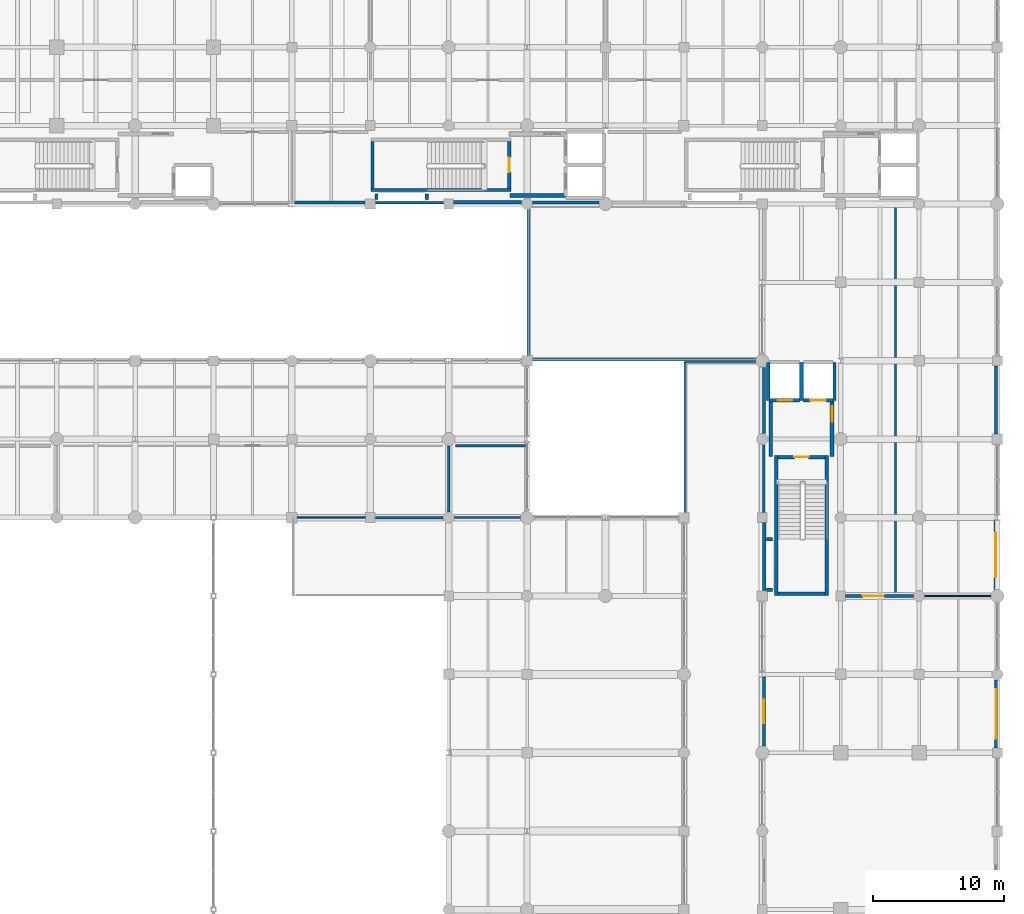
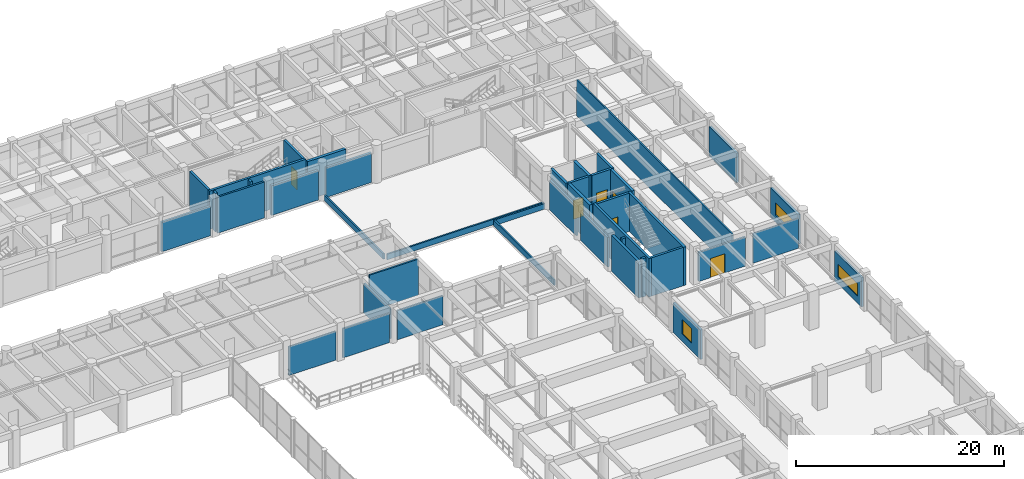
# One storey, part 106 of 133: 42 walls, 6 doors, 3 windows, 9 openings.
"""IFC4 building model written with IfcOpenShell, lengths in metres."""

from ifc_helpers import new_model, si_unit, direction, frame, frame_2d, origin, place, context, subcontext, project, spatial, rectangle, extrude, material, layer, layer_set, type_object, element, fill, save


model = new_model("IFC4")

# Units and contexts
model_context = context("Model", 3, precision=1e-05, world=origin(), true_north=direction((0.0, 1.0)))
body_context = subcontext(model_context, "Body", "Model", "MODEL_VIEW")
ifc_project = project(units=[si_unit("LENGTHUNIT", "METRE"), si_unit("AREAUNIT", "SQUARE_METRE"), si_unit("VOLUMEUNIT", "CUBIC_METRE"), si_unit("PLANEANGLEUNIT", "RADIAN"), si_unit("MASSUNIT", "GRAM", prefix="KILO"), si_unit("THERMODYNAMICTEMPERATUREUNIT", "KELVIN"), si_unit("POWERUNIT", "WATT")], contexts=[model_context])

# Site, building, storey
site_placement = place(None, origin())
site = spatial("IfcSite", under=ifc_project, at=site_placement, CompositionType="ELEMENT")
building_placement = place(site_placement, origin())
building = spatial("IfcBuilding", under=site, at=building_placement, Name="Phaisarnlok Congress Hotel", CompositionType="ELEMENT")
storey_placement = place(building_placement, frame((0.0, 0.0, 6.0)))
storey = spatial("IfcBuildingStorey", under=building, at=storey_placement, Name="L01", CompositionType="ELEMENT", Elevation=6.0)

# Walls
ifc_material_1 = material(Name="Concrete C40/50", Category="concrete")
ifc_layer_1 = layer(ifc_material_1, 0.2099609375, Name="Concrete C40/50")
ifc_layer_set_1 = layer_set([ifc_layer_1], Name="Concrete C40/50")
wall_type_1 = type_object("IfcWallType", Name="WL-EXT-210", PredefinedType="SOLIDWALL", material=ifc_layer_set_1)
wall_1_placement = place(storey_placement, frame((132.405029296875, 108.10498046875, 0.0), z_axis=(0.0, 0.0, 1.0), x_axis=(1.0, 0.0, 0.0)))
element("IfcWall", 1, at=wall_1_placement, inside=storey, type_object=wall_type_1, Name="Exterior wall EW-07 (L01)", PredefinedType="SOLIDWALL", context=body_context, shape_type="SweptSolid", body=[
    extrude(rectangle(XDim=5.215087890625, YDim=0.2099609375, at=frame_2d((2.607421875, 0.0))), origin(), (0.0, 0.0, 1.0), 4.219970703125),
])
wall_2_placement = place(storey_placement, frame((162.10498046875, 89.570068359375, 0.0), z_axis=(0.0, 0.0, 1.0), x_axis=(0.0, -1.0, 0.0)))
element("IfcWall", 2, at=wall_2_placement, inside=storey, type_object=wall_type_1, Name="Exterior wall EW-07 (L01)", PredefinedType="SOLIDWALL", context=body_context, shape_type="SweptSolid", body=[
    extrude(rectangle(XDim=5.190185546875, YDim=0.2099609375, at=frame_2d((2.59521484375, 0.0))), origin(), (0.0, 0.0, 1.0), 3.469970703125),
])
ifc_layer_2 = layer(ifc_material_1, 0.22998046875, Name="Concrete C40/50")
ifc_layer_set_2 = layer_set([ifc_layer_2], Name="Concrete C40/50")
wall_type_2 = type_object("IfcWallType", Name="WL-EXT-230", PredefinedType="SOLIDWALL", material=ifc_layer_set_2)
wall_3_placement = place(storey_placement, frame((126.20556640625, 108.114990234375, 0.0), z_axis=(0.0, 0.0, 1.0), x_axis=(1.0, 0.0, 0.0)))
element("IfcWall", 3, at=wall_3_placement, inside=storey, type_object=wall_type_2, Name="Exterior wall EW-06 (L01)", PredefinedType="SOLIDWALL", context=body_context, shape_type="SweptSolid", body=[
    extrude(rectangle(XDim=5.389404296875, YDim=0.22998046875, at=frame_2d((2.69482421875, 0.0))), origin(), (0.0, 0.0, 1.0), 3.469970703125),
])
wall_4_placement = place(storey_placement, frame((162.114990234375, 95.4951171875, 0.0), z_axis=(0.0, 0.0, 1.0), x_axis=(0.0, -1.0, 0.0)))
element("IfcWall", 4, at=wall_4_placement, inside=storey, type_object=wall_type_2, Name="Exterior wall EW-06 (L01)", PredefinedType="SOLIDWALL", context=body_context, shape_type="SweptSolid", body=[
    extrude(rectangle(XDim=5.065185546875, YDim=0.22998046875, at=frame_2d((2.53271484375, 0.0))), origin(), (0.0, 0.0, 1.0), 3.469970703125),
])

# Wall, opening, window
wall_5_placement = place(storey_placement, frame((162.114990234375, 71.79541015625, 0.0), z_axis=(0.0, 0.0, 1.0), x_axis=(0.0, -1.0, 0.0)))
wall_5 = element("IfcWall", 5, at=wall_5_placement, inside=storey, type_object=wall_type_2, Name="Exterior wall EW-06 (L01)", PredefinedType="SOLIDWALL", context=body_context, shape_type="SweptSolid", body=[
    extrude(rectangle(XDim=5.29052734375, YDim=0.22998046875, at=frame_2d((2.645263671875, 0.0))), origin(), (0.0, 0.0, 1.0), 3.469970703125),
])
opening_1_placement = place(wall_5_placement, frame((1.7451171875, 0.0, 0.85009765625)))
opening_1 = element("IfcOpeningElement", 6, at=opening_1_placement, cuts=wall_5, Name="Opening W-10", PredefinedType="OPENING", context=body_context, shape_type="SweptSolid", body=[
    extrude(rectangle(XDim=1.800048828125, YDim=1.699951171875, at=frame_2d((0.89990234375, 0.85009765625))), frame((0.0, 0.125, 0.0), z_axis=(0.0, -1.0, 0.0), x_axis=(1.0, 0.0, 0.0)), (0.0, 0.0, 1.0), 0.25),
])
ifc_material_2 = material(Name="Thermally Broken Aluminium & Low-E Double Glazing", Category="aluminium")
window_type_1 = type_object("IfcWindowType", Name="WIN-POD-1800", PartitioningType="SINGLE_PANEL", PredefinedType="WINDOW", material=ifc_material_2)
window_1_placement = place(opening_1_placement, origin())
window_1 = element("IfcWindow", 7, at=window_1_placement, inside=storey, type_object=window_type_1, Name="Podium window W-10 (L01)", OverallHeight=1.699951171875, OverallWidth=1.800048828125, PartitioningType="SINGLE_PANEL", PredefinedType="WINDOW", context=body_context, shape_type="SweptSolid", body=[
    extrude(rectangle(XDim=1.800048828125, YDim=1.699951171875, at=frame_2d((0.89990234375, 0.85009765625))), frame((0.0, 0.030029296875, 0.0), z_axis=(0.0, -1.0, 0.0), x_axis=(1.0, 0.0, 0.0)), (0.0, 0.0, 1.0), 0.06005859375),
])
fill(opening_1, window_1)

wall_6_placement = place(storey_placement, frame((179.885009765625, 66.3798828125, 0.0), z_axis=(0.0, 0.0, 1.0), x_axis=(0.0, 1.0, 0.0)))
wall_6 = element("IfcWall", 8, at=wall_6_placement, inside=storey, type_object=wall_type_2, Name="Exterior wall EW-06 (L01)", PredefinedType="SOLIDWALL", context=body_context, shape_type="SweptSolid", body=[
    extrude(rectangle(XDim=5.190185546875, YDim=0.22998046875, at=frame_2d((2.59521484375, 0.0))), origin(), (0.0, 0.0, 1.0), 3.469970703125),
])
opening_2_placement = place(wall_6_placement, frame((0.695068359375, 0.0, 0.85009765625)))
opening_2 = element("IfcOpeningElement", 9, at=opening_2_placement, cuts=wall_6, Name="Opening W-17", PredefinedType="OPENING", context=body_context, shape_type="SweptSolid", body=[
    extrude(rectangle(XDim=3.800048828125, YDim=1.449951171875, at=frame_2d((1.89990234375, 0.72509765625))), frame((0.0, 0.125, 0.0), z_axis=(0.0, -1.0, 0.0), x_axis=(1.0, 0.0, 0.0)), (0.0, 0.0, 1.0), 0.25),
])
window_type_2 = type_object("IfcWindowType", Name="WIN-RIB-3800", PartitioningType="SINGLE_PANEL", PredefinedType="WINDOW", material=ifc_material_2)
window_2_placement = place(opening_2_placement, origin())
window_2 = element("IfcWindow", 10, at=window_2_placement, inside=storey, type_object=window_type_2, Name="Podium window W-17 (L01)", OverallHeight=1.449951171875, OverallWidth=3.800048828125, PartitioningType="SINGLE_PANEL", PredefinedType="WINDOW", context=body_context, shape_type="SweptSolid", body=[
    extrude(rectangle(XDim=3.800048828125, YDim=1.449951171875, at=frame_2d((1.89990234375, 0.72509765625))), frame((0.0, 0.030029296875, 0.0), z_axis=(0.0, -1.0, 0.0), x_axis=(1.0, 0.0, 0.0)), (0.0, 0.0, 1.0), 0.06005859375),
])
fill(opening_2, window_2)

# Walls
wall_7_placement = place(storey_placement, frame((179.885009765625, 90.405029296875, 0.0), z_axis=(0.0, 0.0, 1.0), x_axis=(0.0, 1.0, 0.0)))
element("IfcWall", 11, at=wall_7_placement, inside=storey, type_object=wall_type_2, Name="Exterior wall EW-06 (L01)", PredefinedType="SOLIDWALL", context=body_context, shape_type="SweptSolid", body=[
    extrude(rectangle(XDim=5.215087890625, YDim=0.22998046875, at=frame_2d((2.607421875, 0.0))), origin(), (0.0, 0.0, 1.0), 3.469970703125),
])
ifc_layer_3 = layer(ifc_material_1, 0.25, Name="Concrete C40/50")
ifc_layer_set_3 = layer_set([ifc_layer_3], Name="Concrete C40/50")
wall_type_3 = type_object("IfcWallType", Name="WL-EXT-250", PredefinedType="SOLIDWALL", material=ifc_layer_set_3)
wall_8_placement = place(storey_placement, frame((144.429931640625, 108.125, 0.0), z_axis=(0.0, 0.0, 1.0), x_axis=(1.0, 0.0, 0.0)))
element("IfcWall", 12, at=wall_8_placement, inside=storey, type_object=wall_type_3, Name="Exterior wall EW-05 (L01)", PredefinedType="SOLIDWALL", context=body_context, shape_type="SweptSolid", body=[
    extrude(rectangle(XDim=5.065185546875, YDim=0.25, at=frame_2d((2.53271484375, 0.0))), origin(), (0.0, 0.0, 1.0), 3.469970703125),
])
ifc_layer_4 = layer(ifc_material_1, 0.27001953125, Name="Concrete C40/50")
ifc_layer_set_4 = layer_set([ifc_layer_4], Name="Concrete C40/50")
wall_type_4 = type_object("IfcWallType", Name="WL-EXT-270", PredefinedType="SOLIDWALL", material=ifc_layer_set_4)
wall_9_placement = place(storey_placement, frame((138.3798828125, 108.135009765625, 0.0), z_axis=(0.0, 0.0, 1.0), x_axis=(1.0, 0.0, 0.0)))
element("IfcWall", 13, at=wall_9_placement, inside=storey, type_object=wall_type_4, Name="Exterior wall EW-04 (L01)", PredefinedType="SOLIDWALL", context=body_context, shape_type="SweptSolid", body=[
    extrude(rectangle(XDim=5.190185546875, YDim=0.27001953125, at=frame_2d((2.59521484375, 0.0))), origin(), (0.0, 0.0, 1.0), 3.469970703125),
])
wall_10_placement = place(storey_placement, frame((162.135009765625, 83.6201171875, 0.0), z_axis=(0.0, 0.0, 1.0), x_axis=(0.0, -1.0, 0.0)))
element("IfcWall", 14, at=wall_10_placement, inside=storey, type_object=wall_type_4, Name="Exterior wall EW-04 (L01)", PredefinedType="SOLIDWALL", context=body_context, shape_type="SweptSolid", body=[
    extrude(rectangle(XDim=5.215087890625, YDim=0.27001953125, at=frame_2d((2.607421875, 0.0))), origin(), (0.0, 0.0, 1.0), 4.219970703125),
])

# Wall, opening, window
wall_11_placement = place(storey_placement, frame((179.864990234375, 78.5048828125, 0.0), z_axis=(0.0, 0.0, 1.0), x_axis=(0.0, 1.0, 0.0)))
wall_11 = element("IfcWall", 15, at=wall_11_placement, inside=storey, type_object=wall_type_4, Name="Exterior wall EW-04 (L01)", PredefinedType="SOLIDWALL", context=body_context, shape_type="SweptSolid", body=[
    extrude(rectangle(XDim=5.29052734375, YDim=0.27001953125, at=frame_2d((2.645263671875, 0.0))), origin(), (0.0, 0.0, 1.0), 3.469970703125),
])
opening_3_placement = place(wall_11_placement, frame((0.945068359375, 0.0, 0.85009765625)))
opening_3 = element("IfcOpeningElement", 16, at=opening_3_placement, cuts=wall_11, Name="Opening W-18", PredefinedType="OPENING", context=body_context, shape_type="SweptSolid", body=[
    extrude(rectangle(XDim=3.39990234375, YDim=1.449951171875, at=frame_2d((1.699951171875, 0.72509765625))), frame((0.0, 0.14501953125, 0.0), z_axis=(0.0, -1.0, 0.0), x_axis=(1.0, 0.0, 0.0)), (0.0, 0.0, 1.0), 0.2900390625),
])
window_type_3 = type_object("IfcWindowType", Name="WIN-RIB-3400", PartitioningType="SINGLE_PANEL", PredefinedType="WINDOW", material=ifc_material_2)
window_3_placement = place(opening_3_placement, origin())
window_3 = element("IfcWindow", 17, at=window_3_placement, inside=storey, type_object=window_type_3, Name="Podium window W-18 (L01)", OverallHeight=1.449951171875, OverallWidth=3.39990234375, PartitioningType="SINGLE_PANEL", PredefinedType="WINDOW", context=body_context, shape_type="SweptSolid", body=[
    extrude(rectangle(XDim=3.39990234375, YDim=1.449951171875, at=frame_2d((1.699951171875, 0.72509765625))), frame((0.0, 0.030029296875, 0.0), z_axis=(0.0, -1.0, 0.0), x_axis=(1.0, 0.0, 0.0)), (0.0, 0.0, 1.0), 0.06005859375),
])
fill(opening_3, window_3)

# Walls
ifc_material_3 = material(Name="Service Riser Shaftwall Partition", Category="gypsum")
ifc_layer_5 = layer(ifc_material_3, 0.10498046875, Name="Service Riser Shaftwall Partition")
ifc_layer_set_5 = layer_set([ifc_layer_5], Name="Service Riser Shaftwall Partition")
wall_type_5 = type_object("IfcWallType", Name="WL-INT-105", PredefinedType="PARTITIONING", material=ifc_layer_set_5)
wall_12_placement = place(storey_placement, frame((174.429931640625, 78.0, 0.0), z_axis=(0.0, 0.0, 1.0), x_axis=(1.0, 0.0, 0.0)))
element("IfcWall", 18, at=wall_12_placement, inside=storey, type_object=wall_type_5, Name="Interior partition wall IW-08 (L01)", PredefinedType="PARTITIONING", context=body_context, shape_type="SweptSolid", body=[
    extrude(rectangle(XDim=5.065185546875, YDim=0.10498046875, at=frame_2d((2.53271484375, 0.0))), origin(), (0.0, 0.0, 1.0), 3.52001953125),
])
wall_13_placement = place(storey_placement, frame((126.405029296875, 84.0, 0.0), z_axis=(0.0, 0.0, 1.0), x_axis=(1.0, 0.0, 0.0)))
element("IfcWall", 19, at=wall_13_placement, inside=storey, type_object=wall_type_5, Name="Interior partition wall IW-08 (L01)", PredefinedType="PARTITIONING", context=body_context, shape_type="SweptSolid", body=[
    extrude(rectangle(XDim=5.215087890625, YDim=0.10498046875, at=frame_2d((2.607421875, 0.0))), origin(), (0.0, 0.0, 1.0), 3.419921875),
])
ifc_material_4 = material(Name="Double-Stud Acoustic Gypsum Partition", Category="gypsum")
ifc_layer_6 = layer(ifc_material_4, 0.159912109375, Name="Double-Stud Acoustic Gypsum Partition")
ifc_layer_set_6 = layer_set([ifc_layer_6], Name="Double-Stud Acoustic Gypsum Partition")
wall_type_6 = type_object("IfcWallType", Name="WL-INT-160", PredefinedType="PARTITIONING", material=ifc_layer_set_6)
wall_14_placement = place(storey_placement, frame((172.199951171875, 78.0, 0.0), z_axis=(0.0, 0.0, 1.0), x_axis=(0.0, 1.0, 0.0)))
element("IfcWall", 20, at=wall_14_placement, inside=storey, type_object=wall_type_6, Name="Interior partition wall IW-04 (L01)", PredefinedType="PARTITIONING", context=body_context, shape_type="SweptSolid", body=[
    extrude(rectangle(XDim=29.820068359375, YDim=0.159912109375, at=frame_2d((14.91015625, 0.0))), origin(), (0.0, 0.0, 1.0), 4.219970703125),
])
wall_15_placement = place(storey_placement, frame((138.429931640625, 84.0, 0.0), z_axis=(0.0, 0.0, 1.0), x_axis=(1.0, 0.0, 0.0)))
element("IfcWall", 21, at=wall_15_placement, inside=storey, type_object=wall_type_6, Name="Interior partition wall IW-04 (L01)", PredefinedType="PARTITIONING", context=body_context, shape_type="SweptSolid", body=[
    extrude(rectangle(XDim=5.065185546875, YDim=0.159912109375, at=frame_2d((2.53271484375, 0.0))), origin(), (0.0, 0.0, 1.0), 3.419921875),
])
ifc_material_5 = material(Name="Autoclaved Aerated Concrete Block", Category="concrete")
ifc_layer_7 = layer(ifc_material_5, 0.179931640625, Name="Autoclaved Aerated Concrete Block")
ifc_layer_set_7 = layer_set([ifc_layer_7], Name="Autoclaved Aerated Concrete Block")
wall_type_7 = type_object("IfcWallType", Name="WL-INT-180", PredefinedType="PARTITIONING", material=ifc_layer_set_7)
wall_16_placement = place(storey_placement, frame((132.3798828125, 84.0, 0.0), z_axis=(0.0, 0.0, 1.0), x_axis=(1.0, 0.0, 0.0)))
element("IfcWall", 22, at=wall_16_placement, inside=storey, type_object=wall_type_7, Name="Interior partition wall IW-03 (L01)", PredefinedType="PARTITIONING", context=body_context, shape_type="SweptSolid", body=[
    extrude(rectangle(XDim=5.190185546875, YDim=0.179931640625, at=frame_2d((2.59521484375, 0.0))), origin(), (0.0, 0.0, 1.0), 3.419921875),
])
wall_17_placement = place(storey_placement, frame((138.5048828125, 89.5, 0.0), z_axis=(0.0, 0.0, 1.0), x_axis=(1.0, 0.0, 0.0)))
element("IfcWall", 23, at=wall_17_placement, inside=storey, type_object=wall_type_7, Name="Interior partition wall IW-03 (L01)", PredefinedType="PARTITIONING", context=body_context, shape_type="SweptSolid", body=[
    extrude(rectangle(XDim=5.4501953125, YDim=0.179931640625, at=frame_2d((2.72509765625, 0.0))), origin(), (0.0, 0.0, 1.0), 4.219970703125),
])
ifc_layer_8 = layer(ifc_material_5, 0.199951171875, Name="Autoclaved Aerated Concrete Block")
ifc_layer_set_8 = layer_set([ifc_layer_8], Name="Autoclaved Aerated Concrete Block")
wall_type_8 = type_object("IfcWallType", Name="WL-INT-200", PredefinedType="PARTITIONING", material=ifc_layer_set_8)
wall_18_placement = place(storey_placement, frame((138.0, 84.429931640625, 0.0), z_axis=(0.0, 0.0, 1.0), x_axis=(0.0, 1.0, 0.0)))
element("IfcWall", 24, at=wall_18_placement, inside=storey, type_object=wall_type_8, Name="Interior partition wall IW-02 (L01)", PredefinedType="PARTITIONING", context=body_context, shape_type="SweptSolid", body=[
    extrude(rectangle(XDim=5.065185546875, YDim=0.199951171875, at=frame_2d((2.53271484375, 0.0))), origin(), (0.0, 0.0, 1.0), 3.4599609375),
])

# Wall, opening, door
wall_19_placement = place(storey_placement, frame((168.3798828125, 78.0, 0.0), z_axis=(0.0, 0.0, 1.0), x_axis=(1.0, 0.0, 0.0)))
wall_19 = element("IfcWall", 25, at=wall_19_placement, inside=storey, type_object=wall_type_8, Name="Interior partition wall IW-02 (L01)", PredefinedType="PARTITIONING", context=body_context, shape_type="SweptSolid", body=[
    extrude(rectangle(XDim=5.190185546875, YDim=0.199951171875, at=frame_2d((2.59521484375, 0.0))), origin(), (0.0, 0.0, 1.0), 3.419921875),
])
opening_4_placement = place(wall_19_placement, frame((1.320068359375, 0.0, 0.0)))
opening_4 = element("IfcOpeningElement", 26, at=opening_4_placement, cuts=wall_19, Name="Opening D-0072", PredefinedType="OPENING", context=body_context, shape_type="SweptSolid", body=[
    extrude(rectangle(XDim=1.60009765625, YDim=2.25, at=frame_2d((0.800048828125, 1.125))), frame((0.0, 0.10986328125, 0.0), z_axis=(0.0, -1.0, 0.0), x_axis=(1.0, 0.0, 0.0)), (0.0, 0.0, 1.0), 0.219970703125),
])
ifc_material_6 = material(Name="Frameless Tempered Acoustic Glass", Category="glass")
door_type_1 = type_object("IfcDoorType", Name="DR-GLZ-1600", OperationType="DOUBLE_DOOR_SINGLE_SWING", PredefinedType="DOOR", material=ifc_material_6)
door_1_placement = place(opening_4_placement, origin())
door_1 = element("IfcDoor", 27, at=door_1_placement, inside=storey, type_object=door_type_1, Name="Interior door D-0072 (L01)", OperationType="DOUBLE_DOOR_SINGLE_SWING", OverallHeight=2.25, OverallWidth=1.60009765625, PredefinedType="DOOR", context=body_context, shape_type="SweptSolid", body=[
    extrude(rectangle(XDim=1.60009765625, YDim=2.25, at=frame_2d((0.800048828125, 1.125))), frame((0.0, 0.02490234375, 0.0), z_axis=(0.0, -1.0, 0.0), x_axis=(1.0, 0.0, 0.0)), (0.0, 0.0, 1.0), 0.050048828125),
])
fill(opening_4, door_1)

# Walls
ifc_layer_9 = layer(ifc_material_1, 0.169921875, Name="Concrete C40/50")
ifc_layer_set_9 = layer_set([ifc_layer_9], Name="Concrete C40/50")
wall_type_9 = type_object("IfcWallType", Name="WL-PAR-170", PredefinedType="PARAPET", material=ifc_layer_set_9)
wall_20_placement = place(storey_placement, frame((144.090087890625, 107.699951171875, 0.0), z_axis=(0.0, 0.0, 1.0), x_axis=(0.0, -1.0, 0.0)))
element("IfcWall", 28, at=wall_20_placement, inside=storey, type_object=wall_type_9, Name="Podium roof parapet WP-02 (L01)", PredefinedType="PARAPET", context=body_context, shape_type="SweptSolid", body=[
    extrude(rectangle(XDim=11.4140625, YDim=0.169921875, at=frame_2d((5.70703125, 0.0))), origin(), (0.0, 0.0, 1.0), 0.64990234375),
])
wall_21_placement = place(storey_placement, frame((144.285888671875, 96.090087890625, 0.0), z_axis=(0.0, 0.0, 1.0), x_axis=(1.0, 0.0, 0.0)))
element("IfcWall", 29, at=wall_21_placement, inside=storey, type_object=wall_type_9, Name="Podium roof parapet WP-02 (L01)", PredefinedType="PARAPET", context=body_context, shape_type="SweptSolid", body=[
    extrude(rectangle(XDim=17.4140625, YDim=0.169921875, at=frame_2d((8.70703125, 0.0))), origin(), (0.0, 0.0, 1.0), 0.64990234375),
])
wall_22_placement = place(storey_placement, frame((161.699951171875, 95.909912109375, 0.0), z_axis=(0.0, 0.0, 1.0), x_axis=(-1.0, 0.0, 0.0)))
element("IfcWall", 30, at=wall_22_placement, inside=storey, type_object=wall_type_9, Name="Podium roof parapet WP-02 (L01)", PredefinedType="PARAPET", context=body_context, shape_type="SweptSolid", body=[
    extrude(rectangle(XDim=5.60986328125, YDim=0.169921875, at=frame_2d((2.804931640625, 0.0))), origin(), (0.0, 0.0, 1.0), 0.64990234375),
])
wall_23_placement = place(storey_placement, frame((156.090087890625, 95.909912109375, 0.0), z_axis=(0.0, 0.0, 1.0), x_axis=(0.0, -1.0, 0.0)))
element("IfcWall", 31, at=wall_23_placement, inside=storey, type_object=wall_type_9, Name="Podium roof parapet WP-02 (L01)", PredefinedType="PARAPET", context=body_context, shape_type="SweptSolid", body=[
    extrude(rectangle(XDim=11.6240234375, YDim=0.169921875, at=frame_2d((5.81201171875, 0.0))), origin(), (0.0, 0.0, 1.0), 0.64990234375),
])
ifc_material_7 = material(Name="Concrete C50/60", Category="concrete")
ifc_layer_10 = layer(ifc_material_7, 0.260009765625, Name="Concrete C50/60")
ifc_layer_set_10 = layer_set([ifc_layer_10], Name="Concrete C50/60")
wall_type_10 = type_object("IfcWallType", Name="WL-SHR-260", PredefinedType="SHEAR", material=ifc_layer_set_10)
wall_24_placement = place(storey_placement, frame((132.0400390625, 109.070068359375, 0.0), z_axis=(0.0, 0.0, 1.0), x_axis=(1.0, 0.0, 0.0)))
element("IfcWall", 32, at=wall_24_placement, inside=storey, type_object=wall_type_10, Name="Stair shaft shear wall SW-04 (CORE-2 L01)", PredefinedType="SHEAR", context=body_context, shape_type="SweptSolid", body=[
    extrude(rectangle(XDim=10.719970703125, YDim=0.260009765625, at=frame_2d((5.35986328125, 0.0))), origin(), (0.0, 0.0, 1.0), 4.5),
])
wall_25_placement = place(storey_placement, frame((132.169921875, 109.199951171875, 0.0), z_axis=(0.0, 0.0, 1.0), x_axis=(0.0, 1.0, 0.0)))
element("IfcWall", 33, at=wall_25_placement, inside=storey, type_object=wall_type_10, Name="Stair shaft shear wall SW-04 (CORE-2 L01)", PredefinedType="SHEAR", context=body_context, shape_type="SweptSolid", body=[
    extrude(rectangle(XDim=3.60009765625, YDim=0.260009765625, at=frame_2d((1.800048828125, 0.0))), origin(), (0.0, 0.0, 1.0), 4.5),
])

# Wall, opening, door
wall_26_placement = place(storey_placement, frame((142.6298828125, 109.199951171875, 0.0), z_axis=(0.0, 0.0, 1.0), x_axis=(0.0, 1.0, 0.0)))
wall_26 = element("IfcWall", 34, at=wall_26_placement, inside=storey, type_object=wall_type_10, Name="Stair shaft shear wall SW-04 (CORE-2 L01)", PredefinedType="SHEAR", context=body_context, shape_type="SweptSolid", body=[
    extrude(rectangle(XDim=3.60009765625, YDim=0.260009765625, at=frame_2d((1.800048828125, 0.0))), origin(), (0.0, 0.0, 1.0), 4.5),
])
opening_5_placement = place(wall_26_placement, frame((1.25, 0.0, 0.0)))
opening_5 = element("IfcOpeningElement", 35, at=opening_5_placement, cuts=wall_26, Name="Opening FD-033", PredefinedType="OPENING", context=body_context, shape_type="SweptSolid", body=[
    extrude(rectangle(XDim=1.10009765625, YDim=2.14990234375, at=frame_2d((0.550048828125, 1.074951171875))), frame((0.0, 0.14013671875, 0.0), z_axis=(0.0, -1.0, 0.0), x_axis=(1.0, 0.0, 0.0)), (0.0, 0.0, 1.0), 0.280029296875),
])
ifc_material_8 = material(Name="Fire-Rated Steel Frame & Timber Leaf", Category="steel")
door_type_2 = type_object("IfcDoorType", Name="DR-FD60-1100", OperationType="NOTDEFINED", PredefinedType="DOOR", material=ifc_material_8)
door_2_placement = place(opening_5_placement, origin())
door_2 = element("IfcDoor", 36, at=door_2_placement, inside=storey, type_object=door_type_2, Name="Stair enclosure fire door FD-033 (L01)", OperationType="SINGLE_SWING_RIGHT", OverallHeight=2.14990234375, OverallWidth=1.10009765625, PredefinedType="DOOR", context=body_context, shape_type="SweptSolid", body=[
    extrude(rectangle(XDim=1.10009765625, YDim=2.14990234375, at=frame_2d((0.550048828125, 1.074951171875))), frame((0.0, 0.02490234375, 0.0), z_axis=(0.0, -1.0, 0.0), x_axis=(1.0, 0.0, 0.0)), (0.0, 0.0, 1.0), 0.050048828125),
])
fill(opening_5, door_2)

# Walls
for number, where, z_axis, x_axis, name in (
    (37, (132.469970703125, 108.330078125, 0.0), (0.0, 0.0, 1.0), (0.0, 1.0, 0.0), "Service riser shaft wall SW-04 (CORE-2 L01)"),
    (38, (136.330078125, 108.330078125, 0.0), (0.0, 0.0, 1.0), (0.0, 1.0, 0.0), "Service riser shaft wall SW-04 (CORE-2 L01)"),
):
    element("IfcWall", number, at=place(storey_placement, frame(where, z_axis=z_axis, x_axis=x_axis)), inside=storey, type_object=wall_type_10, Name=name, PredefinedType="SHEAR", context=body_context, shape_type="SweptSolid", body=[
        extrude(rectangle(XDim=0.43994140625, YDim=0.260009765625, at=frame_2d((0.219970703125, 0.0))), origin(), (0.0, 0.0, 1.0), 4.5),
    ])
for number, where, z_axis, x_axis, name in (
    (39, (163.070068359375, 78.0400390625, 0.0), (0.0, 0.0, 1.0), (0.0, 1.0, 0.0), "Stair shaft shear wall SW-04 (CORE-3 L01)"),
    (40, (166.929931640625, 78.0400390625, 0.0), (0.0, 0.0, 1.0), (0.0, 1.0, 0.0), "Stair shaft shear wall SW-04 (CORE-3 L01)"),
):
    element("IfcWall", number, at=place(storey_placement, frame(where, z_axis=z_axis, x_axis=x_axis)), inside=storey, type_object=wall_type_10, Name=name, PredefinedType="SHEAR", context=body_context, shape_type="SweptSolid", body=[
        extrude(rectangle(XDim=10.719970703125, YDim=0.260009765625, at=frame_2d((5.35986328125, 0.0))), origin(), (0.0, 0.0, 1.0), 4.5),
    ])
wall_27_placement = place(storey_placement, frame((163.199951171875, 78.169921875, 0.0), z_axis=(0.0, 0.0, 1.0), x_axis=(1.0, 0.0, 0.0)))
element("IfcWall", 41, at=wall_27_placement, inside=storey, type_object=wall_type_10, Name="Stair shaft shear wall SW-04 (CORE-3 L01)", PredefinedType="SHEAR", context=body_context, shape_type="SweptSolid", body=[
    extrude(rectangle(XDim=3.60009765625, YDim=0.260009765625, at=frame_2d((1.800048828125, 0.0))), origin(), (0.0, 0.0, 1.0), 4.5),
])

# Wall, opening, door
wall_28_placement = place(storey_placement, frame((163.199951171875, 88.6298828125, 0.0), z_axis=(0.0, 0.0, 1.0), x_axis=(1.0, 0.0, 0.0)))
wall_28 = element("IfcWall", 42, at=wall_28_placement, inside=storey, type_object=wall_type_10, Name="Stair shaft shear wall SW-04 (CORE-3 L01)", PredefinedType="SHEAR", context=body_context, shape_type="SweptSolid", body=[
    extrude(rectangle(XDim=3.60009765625, YDim=0.260009765625, at=frame_2d((1.800048828125, 0.0))), origin(), (0.0, 0.0, 1.0), 4.5),
])
opening_6_placement = place(wall_28_placement, frame((1.25, 0.0, 0.0)))
opening_6 = element("IfcOpeningElement", 43, at=opening_6_placement, cuts=wall_28, Name="Opening FD-063", PredefinedType="OPENING", context=body_context, shape_type="SweptSolid", body=[
    extrude(rectangle(XDim=1.10009765625, YDim=2.14990234375, at=frame_2d((0.550048828125, 1.074951171875))), frame((0.0, 0.14013671875, 0.0), z_axis=(0.0, -1.0, 0.0), x_axis=(1.0, 0.0, 0.0)), (0.0, 0.0, 1.0), 0.280029296875),
])
door_3_placement = place(opening_6_placement, origin())
door_3 = element("IfcDoor", 44, at=door_3_placement, inside=storey, type_object=door_type_2, Name="Stair enclosure fire door FD-063 (L01)", OperationType="SINGLE_SWING_RIGHT", OverallHeight=2.14990234375, OverallWidth=1.10009765625, PredefinedType="DOOR", context=body_context, shape_type="SweptSolid", body=[
    extrude(rectangle(XDim=1.10009765625, YDim=2.14990234375, at=frame_2d((0.550048828125, 1.074951171875))), frame((0.0, 0.02490234375, 0.0), z_axis=(0.0, -1.0, 0.0), x_axis=(1.0, 0.0, 0.0)), (0.0, 0.0, 1.0), 0.050048828125),
])
fill(opening_6, door_3)

# Wall
wall_29_placement = place(storey_placement, frame((162.469970703125, 92.969970703125, 0.0), z_axis=(0.0, 0.0, 1.0), x_axis=(0.0, 1.0, 0.0)))
element("IfcWall", 45, at=wall_29_placement, inside=storey, type_object=wall_type_10, Name="Lift shaft shear wall SW-04 (LF-HP3 L01)", PredefinedType="SHEAR", context=body_context, shape_type="SweptSolid", body=[
    extrude(rectangle(XDim=2.909912109375, YDim=0.260009765625, at=frame_2d((1.455078125, 0.0))), origin(), (0.0, 0.0, 1.0), 4.5),
])

# Wall, opening, door
wall_30_placement = place(storey_placement, frame((162.60009765625, 92.969970703125, 0.0), z_axis=(0.0, 0.0, 1.0), x_axis=(1.0, 0.0, 0.0)))
wall_30 = element("IfcWall", 46, at=wall_30_placement, inside=storey, type_object=wall_type_10, Name="Lift shaft front wall SW-04 (LF-HP3 L01)", PredefinedType="SHEAR", context=body_context, shape_type="SweptSolid", body=[
    extrude(rectangle(XDim=2.25, YDim=0.260009765625, at=frame_2d((1.125, 0.0))), origin(), (0.0, 0.0, 1.0), 4.5),
])
opening_7_placement = place(wall_30_placement, frame((0.574951171875, 0.0, 0.0)))
opening_7 = element("IfcOpeningElement", 47, at=opening_7_placement, cuts=wall_30, Name="Opening LD-063", PredefinedType="OPENING", context=body_context, shape_type="SweptSolid", body=[
    extrude(rectangle(XDim=1.10009765625, YDim=2.199951171875, at=frame_2d((0.550048828125, 1.10009765625))), frame((0.0, 0.14013671875, 0.0), z_axis=(0.0, -1.0, 0.0), x_axis=(1.0, 0.0, 0.0)), (0.0, 0.0, 1.0), 0.280029296875),
])
ifc_material_9 = material(Name="Brushed Stainless Steel Grade 304", Category="steel")
door_type_3 = type_object("IfcDoorType", Name="DR-LD-1100", OperationType="DOUBLE_DOOR_SLIDING", PredefinedType="DOOR", material=ifc_material_9)
door_4_placement = place(opening_7_placement, origin())
door_4 = element("IfcDoor", 48, at=door_4_placement, inside=storey, type_object=door_type_3, Name="Lift landing sliding door LD-063 (LF-HP3 L01)", OperationType="DOUBLE_DOOR_SLIDING", OverallHeight=2.199951171875, OverallWidth=1.10009765625, PredefinedType="DOOR", context=body_context, shape_type="SweptSolid", body=[
    extrude(rectangle(XDim=1.10009765625, YDim=2.199951171875, at=frame_2d((0.550048828125, 1.10009765625))), frame((0.0, 0.02490234375, 0.0), z_axis=(0.0, -1.0, 0.0), x_axis=(1.0, 0.0, 0.0)), (0.0, 0.0, 1.0), 0.050048828125),
])
fill(opening_7, door_4)

# Wall
wall_31_placement = place(storey_placement, frame((167.530029296875, 92.969970703125, 0.0), z_axis=(0.0, 0.0, 1.0), x_axis=(0.0, 1.0, 0.0)))
element("IfcWall", 49, at=wall_31_placement, inside=storey, type_object=wall_type_10, Name="Lift shaft shear wall SW-04 (LF-SV1 L01)", PredefinedType="SHEAR", context=body_context, shape_type="SweptSolid", body=[
    extrude(rectangle(XDim=2.909912109375, YDim=0.260009765625, at=frame_2d((1.455078125, 0.0))), origin(), (0.0, 0.0, 1.0), 4.5),
])

# Wall, opening, door
wall_32_placement = place(storey_placement, frame((165.14990234375, 92.969970703125, 0.0), z_axis=(0.0, 0.0, 1.0), x_axis=(1.0, 0.0, 0.0)))
wall_32 = element("IfcWall", 50, at=wall_32_placement, inside=storey, type_object=wall_type_10, Name="Lift shaft front wall SW-04 (LF-SV1 L01)", PredefinedType="SHEAR", context=body_context, shape_type="SweptSolid", body=[
    extrude(rectangle(XDim=2.25, YDim=0.260009765625, at=frame_2d((1.125, 0.0))), origin(), (0.0, 0.0, 1.0), 4.5),
])
opening_8_placement = place(wall_32_placement, frame((0.52490234375, 0.0, 0.0)))
opening_8 = element("IfcOpeningElement", 51, at=opening_8_placement, cuts=wall_32, Name="Opening LD-078", PredefinedType="OPENING", context=body_context, shape_type="SweptSolid", body=[
    extrude(rectangle(XDim=1.199951171875, YDim=2.25, at=frame_2d((0.60009765625, 1.125))), frame((0.0, 0.14013671875, 0.0), z_axis=(0.0, -1.0, 0.0), x_axis=(1.0, 0.0, 0.0)), (0.0, 0.0, 1.0), 0.280029296875),
])
door_type_4 = type_object("IfcDoorType", Name="DR-LD-1200", OperationType="DOUBLE_DOOR_SLIDING", PredefinedType="DOOR", material=ifc_material_9)
door_5_placement = place(opening_8_placement, origin())
door_5 = element("IfcDoor", 52, at=door_5_placement, inside=storey, type_object=door_type_4, Name="Lift landing sliding door LD-078 (LF-SV1 L01)", OperationType="DOUBLE_DOOR_SLIDING", OverallHeight=2.25, OverallWidth=1.199951171875, PredefinedType="DOOR", context=body_context, shape_type="SweptSolid", body=[
    extrude(rectangle(XDim=1.199951171875, YDim=2.25, at=frame_2d((0.60009765625, 1.125))), frame((0.0, 0.02490234375, 0.0), z_axis=(0.0, -1.0, 0.0), x_axis=(1.0, 0.0, 0.0)), (0.0, 0.0, 1.0), 0.050048828125),
])
fill(opening_8, door_5)

# Walls
for number, where, z_axis, x_axis, name in (
    (53, (162.330078125, 78.469970703125, 0.0), (0.0, 0.0, 1.0), (1.0, 0.0, 0.0), "Service riser shaft wall SW-04 (CORE-3 L01)"),
    (54, (162.330078125, 82.330078125, 0.0), (0.0, 0.0, 1.0), (1.0, 0.0, 0.0), "Service riser shaft wall SW-04 (CORE-3 L01)"),
):
    element("IfcWall", number, at=place(storey_placement, frame(where, z_axis=z_axis, x_axis=x_axis)), inside=storey, type_object=wall_type_10, Name=name, PredefinedType="SHEAR", context=body_context, shape_type="SweptSolid", body=[
        extrude(rectangle(XDim=0.43994140625, YDim=0.260009765625, at=frame_2d((0.219970703125, 0.0))), origin(), (0.0, 0.0, 1.0), 4.5),
    ])
ifc_layer_11 = layer(ifc_material_7, 0.300048828125, Name="Concrete C50/60")
ifc_layer_set_11 = layer_set([ifc_layer_11], Name="Concrete C50/60")
wall_type_11 = type_object("IfcWallType", Name="WL-SHR-300", PredefinedType="SHEAR", material=ifc_layer_set_11)
wall_33_placement = place(storey_placement, frame((142.679931640625, 108.64990234375, 0.0), z_axis=(0.0, 0.0, 1.0), x_axis=(1.0, 0.0, 0.0)))
element("IfcWall", 55, at=wall_33_placement, inside=storey, type_object=wall_type_11, Name="Core lobby EI-120 wall SW-03 (CORE-2 L01)", PredefinedType="SHEAR", context=body_context, shape_type="SweptSolid", body=[
    extrude(rectangle(XDim=4.239990234375, YDim=0.300048828125, at=frame_2d((2.1201171875, 0.0))), origin(), (0.0, 0.0, 1.0), 4.5),
])
wall_34_placement = place(storey_placement, frame((165.0, 92.969970703125, 0.0), z_axis=(0.0, 0.0, 1.0), x_axis=(0.0, 1.0, 0.0)))
element("IfcWall", 56, at=wall_34_placement, inside=storey, type_object=wall_type_11, Name="Lift shaft divider shear wall SW-03 (LF-HP3 L01)", PredefinedType="SHEAR", context=body_context, shape_type="SweptSolid", body=[
    extrude(rectangle(XDim=2.909912109375, YDim=0.300048828125, at=frame_2d((1.455078125, 0.0))), origin(), (0.0, 0.0, 1.0), 4.5),
])

# Wall, opening, door
wall_35_placement = place(storey_placement, frame((167.35009765625, 88.679931640625, 0.0), z_axis=(0.0, 0.0, 1.0), x_axis=(0.0, 1.0, 0.0)))
wall_35 = element("IfcWall", 57, at=wall_35_placement, inside=storey, type_object=wall_type_11, Name="Core lobby EI-120 wall SW-03 (CORE-3 L01)", PredefinedType="SHEAR", context=body_context, shape_type="SweptSolid", body=[
    extrude(rectangle(XDim=4.239990234375, YDim=0.300048828125, at=frame_2d((2.1201171875, 0.0))), origin(), (0.0, 0.0, 1.0), 4.5),
])
opening_9_placement = place(wall_35_placement, frame((2.64990234375, 0.0, 0.0)))
opening_9 = element("IfcOpeningElement", 58, at=opening_9_placement, cuts=wall_35, Name="Opening FD-078", PredefinedType="OPENING", context=body_context, shape_type="SweptSolid", body=[
    extrude(rectangle(XDim=1.199951171875, YDim=2.199951171875, at=frame_2d((0.60009765625, 1.10009765625))), frame((0.0, 0.16015625, 0.0), z_axis=(0.0, -1.0, 0.0), x_axis=(1.0, 0.0, 0.0)), (0.0, 0.0, 1.0), 0.320068359375),
])
door_type_5 = type_object("IfcDoorType", Name="DR-FD60-1200", OperationType="NOTDEFINED", PredefinedType="DOOR", material=ifc_material_8)
door_6_placement = place(opening_9_placement, origin())
door_6 = element("IfcDoor", 59, at=door_6_placement, inside=storey, type_object=door_type_5, Name="Core lobby entrance door FD-078 (CORE-3 L01)", OperationType="SINGLE_SWING_LEFT", OverallHeight=2.199951171875, OverallWidth=1.199951171875, PredefinedType="DOOR", context=body_context, shape_type="SweptSolid", body=[
    extrude(rectangle(XDim=1.199951171875, YDim=2.199951171875, at=frame_2d((0.60009765625, 1.10009765625))), frame((0.0, 0.02490234375, 0.0), z_axis=(0.0, -1.0, 0.0), x_axis=(1.0, 0.0, 0.0)), (0.0, 0.0, 1.0), 0.050048828125),
])
fill(opening_9, door_6)

# Wall
wall_36_placement = place(storey_placement, frame((162.64990234375, 88.679931640625, 0.0), z_axis=(0.0, 0.0, 1.0), x_axis=(0.0, 1.0, 0.0)))
element("IfcWall", 60, at=wall_36_placement, inside=storey, type_object=wall_type_11, Name="Core lobby EI-120 wall SW-03 (CORE-3 L01)", PredefinedType="SHEAR", context=body_context, shape_type="SweptSolid", body=[
    extrude(rectangle(XDim=4.239990234375, YDim=0.300048828125, at=frame_2d((2.1201171875, 0.0))), origin(), (0.0, 0.0, 1.0), 4.5),
])

save(model, "model.ifc")
